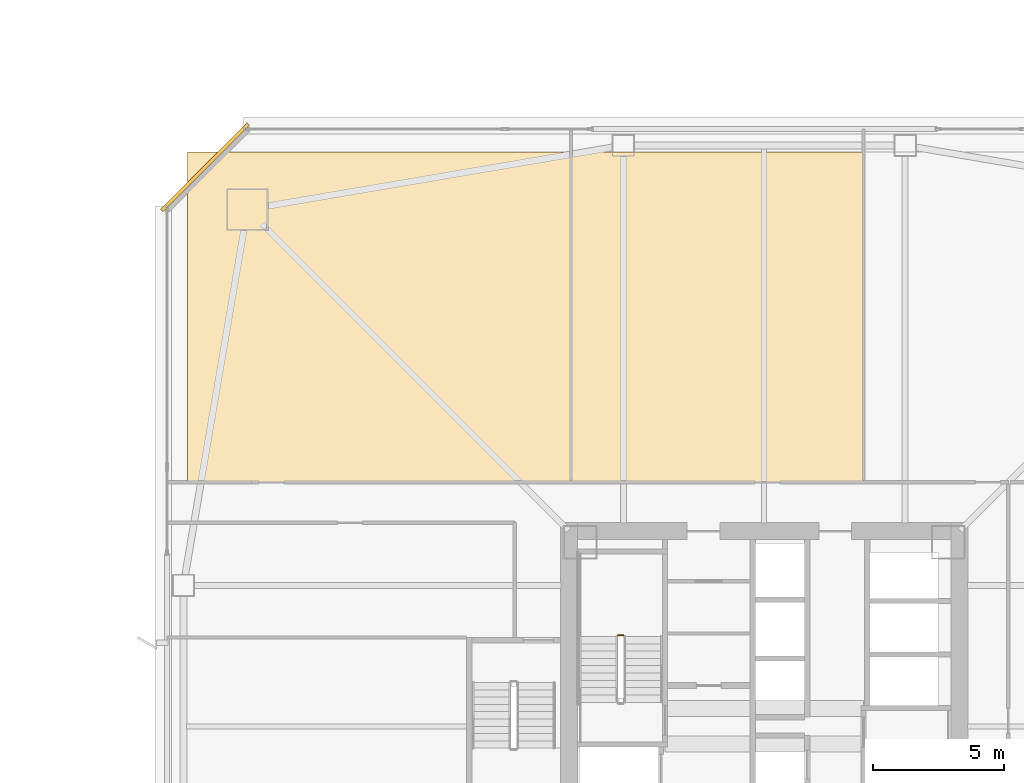
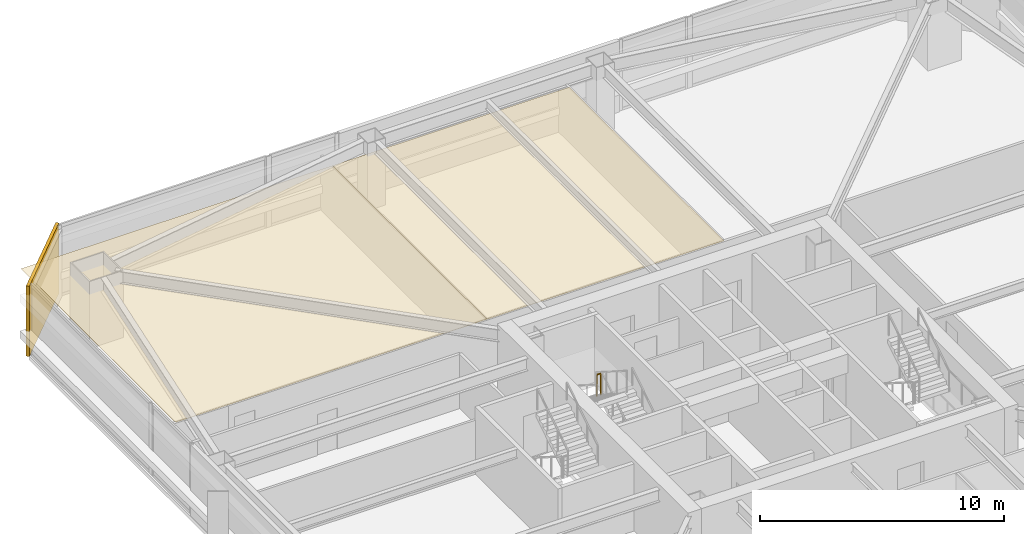
# One storey, part 56 of 62: 3 coverings, 1 railing.
"""IFC4 building model written with IfcOpenShell, lengths in metres."""

from ifc_helpers import new_model, si_unit, direction, frame, origin, origin_2d, place, context, subcontext, project, spatial, polyline, rectangle, outline, extrude, material, layer, layer_set, type_object, element, save


model = new_model("IFC4")

# Units and contexts
model_context = context("Model", 3, precision=1e-05, world=origin(), true_north=direction((0.0, 1.0)))
body_context = subcontext(model_context, "Body", "Model", "MODEL_VIEW")
ifc_project = project(units=[si_unit("LENGTHUNIT", "METRE"), si_unit("AREAUNIT", "SQUARE_METRE"), si_unit("VOLUMEUNIT", "CUBIC_METRE"), si_unit("PLANEANGLEUNIT", "RADIAN"), si_unit("MASSUNIT", "GRAM", prefix="KILO")], contexts=[model_context])

# Site, building, storey
site_placement = place(None, origin())
site = spatial("IfcSite", under=ifc_project, at=site_placement, CompositionType="ELEMENT")
building_placement = place(site_placement, origin())
building = spatial("IfcBuilding", under=site, at=building_placement, Name="Tashvorn Skyway Center", CompositionType="ELEMENT")
storey_placement = place(building_placement, frame((0.0, 0.0, 28.14990234375)))
storey = spatial("IfcBuildingStorey", under=building, at=storey_placement, Name="L06", CompositionType="ELEMENT", Elevation=28.14990234375)

# Coverings
ifc_material_1 = material(Name="Mineral-fibre acoustic ceiling tile on suspended grid")
ifc_layer_1 = layer(ifc_material_1, 0.02001953125)
ifc_layer_set_1 = layer_set([ifc_layer_1], Name="Mineral-fibre acoustic ceiling tile on suspended grid")
covering_type_1 = type_object("IfcCoveringType", Name="COV-CEIL-20", PredefinedType="CEILING", material=ifc_layer_set_1)
covering_1_placement = place(storey_placement, frame((0.0, 0.0, 2.68310546875)))
element("IfcCovering", 1, at=covering_1_placement, inside=storey, type_object=covering_type_1, Name="Tower 1 L06 Open Plan Office Acoustic Ceiling", PredefinedType="CEILING", context=body_context, shape_type="SweptSolid", body=[
    extrude(outline(polyline([(19.89990234375, 41.35009765625), (34.60009765625, 41.35009765625), (34.60009765625, 54.0), (19.89990234375, 54.0), (19.89990234375, 41.35009765625)])), origin(), (0.0, 0.0, 1.0), 0.02001953125),
])
covering_2_placement = place(storey_placement, frame((0.0, 0.0, 2.68310546875)))
element("IfcCovering", 2, at=covering_2_placement, inside=storey, type_object=covering_type_1, Name="Tower 1 L06 Open Plan Office Acoustic Ceiling", PredefinedType="CEILING", context=body_context, shape_type="SweptSolid", body=[
    extrude(outline(polyline([(34.60009765625, 41.35009765625), (45.800048828125, 41.35009765625), (45.800048828125, 54.0), (34.60009765625, 54.0), (34.60009765625, 41.35009765625)])), origin(), (0.0, 0.0, 1.0), 0.02001953125),
])
ifc_material_2 = material(Name="Precast concrete C40/50", Category="concrete")
ifc_layer_2 = layer(ifc_material_2, 0.35009765625)
ifc_layer_set_2 = layer_set([ifc_layer_2], Name="Precast concrete C40/50")
covering_type_2 = type_object("IfcCoveringType", Name="COV-STONE-TRIM", PredefinedType="CLADDING", material=ifc_layer_set_2)
covering_3_placement = place(storey_placement, frame((20.580078125, 53.419921875, 0.02001953125), z_axis=(0.0, 0.0, 1.0), x_axis=(-0.707106781187, -0.707106781187, 0.0)))
element("IfcCovering", 3, at=covering_3_placement, inside=storey, type_object=covering_type_2, Name="Tower 1 L06 NW Mojave Limestone Corner Quoin", PredefinedType="CLADDING", context=body_context, shape_type="SweptSolid", body=[
    extrude(rectangle(XDim=4.685546875, YDim=0.139892578125, at=origin_2d()), origin(), (0.0, 0.0, 1.0), 3.510009765625),
])

# Railing
ifc_material_3 = material(Name="Painted galvanized steel S355", Category="steel")
railing_type = type_object("IfcRailingType", Name="RAIL-STGUARD-1100", PredefinedType="GUARDRAIL", material=ifc_material_3)
railing_placement = place(storey_placement, frame((36.60009765625, 35.489990234375, 1.775146484375)))
element("IfcRailing", 4, at=railing_placement, inside=storey, type_object=railing_type, Name="L06 ST-T1-1 stair guard 2", PredefinedType="GUARDRAIL", context=body_context, shape_type="SweptSolid", body=[
    extrude(rectangle(XDim=0.048095703125, YDim=0.048095703125, at=origin_2d()), frame((0.0, 0.0, 1.076171875), z_axis=(-1.0, 0.0, 0.0), x_axis=(0.0, -1.0, 0.0)), (0.0, 0.0, 1.0), 0.2001953125),
    extrude(rectangle(XDim=0.0419921875, YDim=0.0419921875, at=origin_2d()), origin(), (0.0, 0.0, 1.0), 1.052001953125),
    extrude(rectangle(XDim=0.0419921875, YDim=0.0419921875, at=origin_2d()), frame((-0.2001953125, 0.0, 0.0)), (0.0, 0.0, 1.0), 1.052001953125),
])

save(model, "model.ifc")
